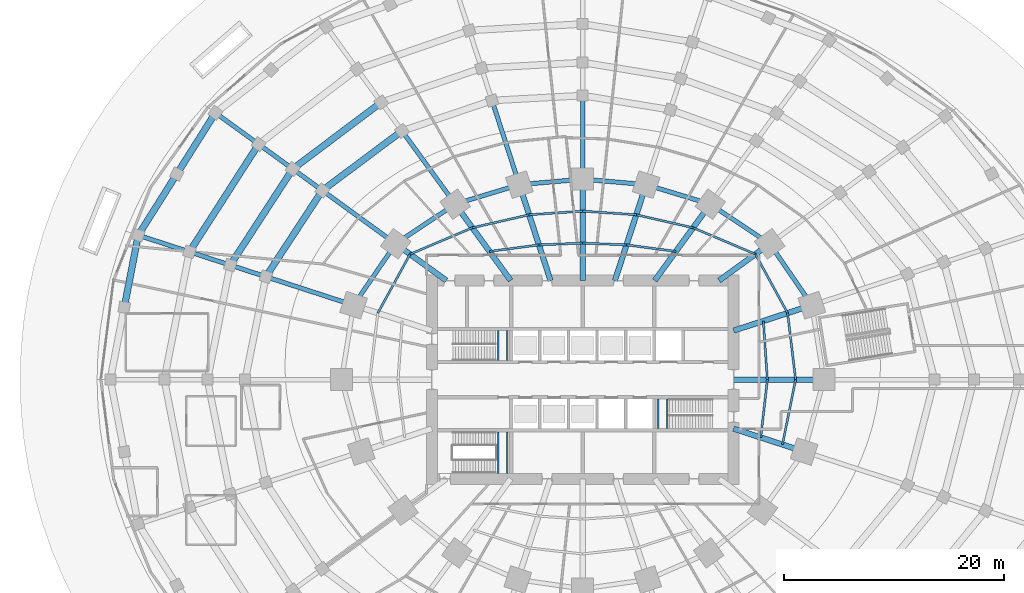
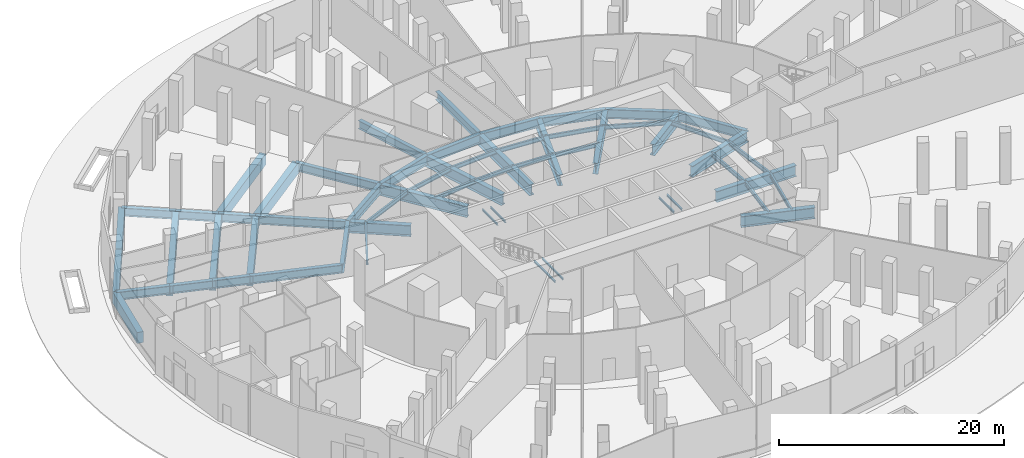
# One storey, part 8 of 23: 59 beams.
"""IFC4 building model written with IfcOpenShell, lengths in metres."""

import ifcopenshell
import ifcopenshell.guid

model = None  # the IFC model being written
_history = None  # IfcOwnerHistory: only IFC2X3 demands one
_inside = {}  # id of a spatial element -> (the spatial element, [elements in it])
_under = {}  # id of a project, library or spatial element -> (it, [spatial elements below it])
_declared = {}  # id of a project -> (the project, [libraries it declares])
_typed = {}  # id of a type object -> (the type object, [elements of that type])
_made_of = {}  # id of a material, layer set ... -> (it, [elements and type objects made of it])


def new_model(schema):
    """Start an empty IFC model of exactly this schema.

    Asked for "IFC4X3", IfcOpenShell would pick the latest addendum, in which some entities
    have other attributes; the version numbers below select the first issue.
    IFC2X3 requires an IfcOwnerHistory on every rooted entity: one is made here for all.
    """
    global model, _history
    if schema == "IFC4X3":
        model = ifcopenshell.file(schema_version=(4, 3, 0, 0))
    else:
        model = ifcopenshell.file(schema=schema)
    _inside.clear()
    _under.clear()
    _declared.clear()
    _typed.clear()
    _made_of.clear()
    _history = None
    if model.schema == "IFC2X3":
        org = make("IfcOrganization", Name="unknown")
        user = make(
            "IfcPersonAndOrganization",
            ThePerson=make("IfcPerson", FamilyName="unknown"),
            TheOrganization=org,
        )
        app = make(
            "IfcApplication",
            ApplicationDeveloper=org,
            Version="unknown",
            ApplicationFullName="unknown",
            ApplicationIdentifier="unknown",
        )
        _history = make(
            "IfcOwnerHistory",
            OwningUser=user,
            OwningApplication=app,
            ChangeAction="ADDED",
            CreationDate=0,
        )
    return model


def make(cls, **values):
    """One entity of the class cls with the attributes given. An attribute that is None is left unset."""
    return model.create_entity(
        cls, **{name: value for name, value in values.items() if value is not None}
    )


def rooted(cls, **values):
    """An entity with a GlobalId (a new one), such as an element, a storey or a relation."""
    return make(cls, GlobalId=ifcopenshell.guid.new(), OwnerHistory=_history, **values)


def si_unit(unit_type, name, prefix=None):
    """IfcSIUnit, for example si_unit("LENGTHUNIT", "METRE", prefix="MILLI")."""
    return make("IfcSIUnit", UnitType=unit_type, Prefix=prefix, Name=name)


def assignment(units):
    """IfcUnitAssignment: the units of a project."""
    return None if units is None else make("IfcUnitAssignment", Units=units)


def point(xyz):
    """IfcCartesianPoint."""
    return None if xyz is None else make("IfcCartesianPoint", Coordinates=xyz)


def direction(xyz):
    """IfcDirection."""
    return None if xyz is None else make("IfcDirection", DirectionRatios=xyz)


def frame(location, z_axis=None, x_axis=None):
    """IfcAxis2Placement3D, a coordinate frame: its origin and axes. An axis left out is left unset."""
    return make(
        "IfcAxis2Placement3D",
        Location=point(location),
        Axis=direction(z_axis),
        RefDirection=direction(x_axis),
    )


def frame_2d(location, x_axis=None):
    """IfcAxis2Placement2D, a coordinate frame in the plane: its origin and x axis."""
    return make(
        "IfcAxis2Placement2D", Location=point(location), RefDirection=direction(x_axis)
    )


def origin():
    """The frame at (0, 0, 0) with its axes left unset."""
    return frame((0.0, 0.0, 0.0))


def origin_2d():
    """The frame at (0, 0) in the plane with its x axis left unset."""
    return frame_2d((0.0, 0.0))


def place(relative_to, where):
    """IfcLocalPlacement: puts the frame where relative to a parent placement (None: the world)."""
    return make(
        "IfcLocalPlacement", PlacementRelTo=relative_to, RelativePlacement=where
    )


def context(
    kind, dimensions, precision=None, world=None, true_north=None, identifier=None
):
    """IfcGeometricRepresentationContext, for example the 3D "Model" context."""
    return make(
        "IfcGeometricRepresentationContext",
        ContextIdentifier=identifier,
        ContextType=kind,
        CoordinateSpaceDimension=dimensions,
        Precision=precision,
        WorldCoordinateSystem=world,
        TrueNorth=true_north,
    )


def subcontext(parent, identifier, kind, view, scale=None):
    """IfcGeometricRepresentationSubContext, for example "Body" below "Model"."""
    return make(
        "IfcGeometricRepresentationSubContext",
        ContextIdentifier=identifier,
        ContextType=kind,
        ParentContext=parent,
        TargetScale=scale,
        TargetView=view,
    )


def project(units=None, contexts=None):
    """IfcProject with its units and contexts."""
    return rooted(
        "IfcProject",
        Name="project",
        RepresentationContexts=contexts,
        UnitsInContext=assignment(units),
    )


def spatial(cls, under=None, at=None, **own):
    """A site, building, storey or space (cls), placed at a placement, below another one or the project."""
    s = rooted(cls, ObjectPlacement=at, **own)
    if under is not None:
        _under.setdefault(under.id(), (under, []))[1].append(s)
    return s


def profile(cls, at=None, kind="AREA", **sizes):
    """A parametric profile (cls). Its sizes go by their IFC names, for example OverallWidth=200.0."""
    return make(cls, ProfileType=kind, Position=at, **sizes)


def rectangle(**sizes):
    """IfcRectangleProfileDef."""
    return profile("IfcRectangleProfileDef", **sizes)


def i_section(**sizes):
    """IfcIShapeProfileDef."""
    return profile("IfcIShapeProfileDef", **sizes)


def extrude(swept, where, along, depth):
    """IfcExtrudedAreaSolid: the profile swept, set in the frame where, extruded along a direction by depth."""
    return make(
        "IfcExtrudedAreaSolid",
        SweptArea=swept,
        Position=where,
        ExtrudedDirection=direction(along),
        Depth=depth,
    )


def shape(context_of_items, identifier, shape_type, items):
    """IfcShapeRepresentation: the items that make up one representation, for example the "Body"."""
    return make(
        "IfcShapeRepresentation",
        ContextOfItems=context_of_items,
        RepresentationIdentifier=identifier,
        RepresentationType=shape_type,
        Items=items,
    )


def material(Name=None, Category=None):
    """IfcMaterial."""
    return make("IfcMaterial", Name=Name, Category=Category)


def material_profile(
    of_material, cross_section, Name=None, Category=None, Priority=None
):
    """IfcMaterialProfile: a cross section and its material."""
    return make(
        "IfcMaterialProfile",
        Name=Name,
        Material=of_material,
        Profile=cross_section,
        Priority=Priority,
        Category=Category,
    )


def profile_set(profiles, Name=None, composite=None):
    """IfcMaterialProfileSet."""
    return make(
        "IfcMaterialProfileSet",
        Name=Name,
        MaterialProfiles=profiles,
        CompositeProfile=composite,
    )


def made_of(thing, what):
    """Note that an element or type object is made of a material, layer set ...; save() writes the relation."""
    if what is not None:
        _made_of.setdefault(what.id(), (what, []))[1].append(thing)
    return thing


def type_object(cls, material=None, **own):
    """A type object (cls), such as IfcWallType, which elements share."""
    return made_of(rooted(cls, **own), material)


def element(
    cls,
    number,
    at=None,
    inside=None,
    cuts=None,
    type_object=None,
    material=None,
    context=None,
    identifier="Body",
    shape_type=None,
    held_by="IfcProductDefinitionShape",
    body=None,
    shapes=None,
    **own,
):
    """One element of the class cls, such as IfcWall. Its Tag is "e" and its number.

    at: its placement. inside: the storey or other place that contains it. cuts: it is an
    opening in that element (IfcRelVoidsElement). A single representation is given by context,
    identifier, shape_type and body (its items); several are given by shapes. held_by: the class
    of the entity that holds the representations. save() writes the other relations.
    """
    e = rooted(cls, Tag="e%d" % number, ObjectPlacement=at, **own)
    if body is not None:
        shapes = [shape(context, identifier, shape_type, body)]
    if shapes is not None:
        e.Representation = make(held_by, Representations=shapes)
    if inside is not None:
        _inside.setdefault(inside.id(), (inside, []))[1].append(e)
    if cuts is not None:
        rooted(
            "IfcRelVoidsElement", RelatingBuildingElement=cuts, RelatedOpeningElement=e
        )
    if type_object is not None:
        _typed.setdefault(type_object.id(), (type_object, []))[1].append(e)
    return made_of(e, material)


def aggregate(whole, parts):
    """IfcRelAggregates: a whole, such as a stair, and the parts it consists of."""
    return rooted("IfcRelAggregates", RelatingObject=whole, RelatedObjects=parts)


def save(model, path):
    """Write the relations noted so far, then the file.

    IfcRelAggregates (storeys below a building ...), IfcRelContainedInSpatialStructure (elements
    in a storey), IfcRelDefinesByType, IfcRelAssociatesMaterial and IfcRelDeclares: one each for
    every whole, place, type object, material and project.
    """
    for whole, parts in _under.values():
        aggregate(whole, parts)
    for where, things in _inside.values():
        rooted(
            "IfcRelContainedInSpatialStructure",
            RelatedElements=things,
            RelatingStructure=where,
        )
    for kind, things in _typed.values():
        rooted("IfcRelDefinesByType", RelatedObjects=things, RelatingType=kind)
    for what, things in _made_of.values():
        rooted("IfcRelAssociatesMaterial", RelatedObjects=things, RelatingMaterial=what)
    for by, libraries in _declared.values():
        rooted("IfcRelDeclares", RelatingContext=by, RelatedDefinitions=libraries)
    model.write(path)


model = new_model("IFC4")

# Units and contexts
model_context = context("Model", 3, precision=1e-05, world=origin(), true_north=direction((0.0, 1.0)))
body_context = subcontext(model_context, "Body", "Model", "MODEL_VIEW")
ifc_project = project(units=[si_unit("LENGTHUNIT", "METRE"), si_unit("AREAUNIT", "SQUARE_METRE"), si_unit("VOLUMEUNIT", "CUBIC_METRE"), si_unit("PLANEANGLEUNIT", "RADIAN"), si_unit("MASSUNIT", "GRAM", prefix="KILO")], contexts=[model_context])

# Site, building, storey
site_placement = place(None, origin())
site = spatial("IfcSite", under=ifc_project, at=site_placement, CompositionType="ELEMENT")
building_placement = place(site_placement, origin())
building = spatial("IfcBuilding", under=site, at=building_placement, Name="Marramba Exchange Tower", CompositionType="ELEMENT")
storey_placement = place(building_placement, origin())
storey = spatial("IfcBuildingStorey", under=building, at=storey_placement, Name="L00", CompositionType="ELEMENT", Elevation=0.0)

# Beams
ifc_material_1 = material(Name="Concrete N50", Category="concrete")
ifc_material_profile_1 = material_profile(ifc_material_1, rectangle(XDim=0.60009765625, YDim=1.199951171875, at=origin_2d()), Name="RC 600x1200")
ifc_profile_set_1 = profile_set([ifc_material_profile_1], Name="Concrete N50")
beam_type_1 = type_object("IfcBeamType", Name="Edge beam RC 600x1200 N50", PredefinedType="SPANDREL", material=ifc_profile_set_1)
beam_1_placement = place(storey_placement, frame((-33.35205078125, 24.231689453125, -0.800048828125), z_axis=(-0.533457535763, -0.845826848438, 0.0), x_axis=(0.845826848438, -0.533457535763, 0.0)))
element("IfcBeam", 1, at=beam_1_placement, inside=storey, type_object=beam_type_1, Name="Edge beam L00 P0C09 half 1", PredefinedType="SPANDREL", context=body_context, shape_type="SweptSolid", body=[
    extrude(rectangle(XDim=0.60009765625, YDim=1.199951171875, at=origin_2d()), origin(), (0.0, 0.0, 1.0), 6.571533203125),
])
beam_2_placement = place(storey_placement, frame((-36.857666015625, 18.67333984375, -0.800048828125), z_axis=(-0.533440772983, -0.845837420383, 0.0), x_axis=(0.845837420383, -0.533440772983, 0.0)))
element("IfcBeam", 2, at=beam_2_placement, inside=storey, type_object=beam_type_1, Name="Edge beam L00 P0C09 half 2", PredefinedType="SPANDREL", context=body_context, shape_type="SweptSolid", body=[
    extrude(rectangle(XDim=0.60009765625, YDim=1.199951171875, at=origin_2d()), origin(), (0.0, 0.0, 1.0), 6.57177734375),
])
beam_3_placement = place(storey_placement, frame((-40.36328125, 13.11474609375, -0.800048828125), z_axis=(-0.189898017432, -0.981803821023, 0.0), x_axis=(0.981803821023, -0.189898017432, 0.0)))
element("IfcBeam", 3, at=beam_3_placement, inside=storey, type_object=beam_type_1, Name="Edge beam L00 P0C10 half 1", PredefinedType="SPANDREL", context=body_context, shape_type="SweptSolid", body=[
    extrude(rectangle(XDim=0.60009765625, YDim=1.199951171875, at=origin_2d()), origin(), (0.0, 0.0, 1.0), 6.678955078125),
])
beam_4_placement = place(storey_placement, frame((-29.430908203125, 21.3828125, -0.800048828125), z_axis=(-0.540426316599, -0.841391345526, 0.0), x_axis=(0.841391345526, -0.540426316599, 0.0)))
element("IfcBeam", 4, at=beam_4_placement, inside=storey, type_object=beam_type_1, Name="Edge beam L00 P1C09", PredefinedType="SPANDREL", context=body_context, shape_type="SweptSolid", body=[
    extrude(rectangle(XDim=0.60009765625, YDim=1.199951171875, at=origin_2d()), origin(), (0.0, 0.0, 1.0), 11.622802734375),
])
beam_5_placement = place(storey_placement, frame((-18.29443359375, 25.18017578125, -0.800048828125), z_axis=(-0.799014535073, -0.601311710132, 0.0), x_axis=(0.601311710132, -0.799014535073, 0.0)))
element("IfcBeam", 5, at=beam_5_placement, inside=storey, type_object=beam_type_1, Name="Edge beam L00 P2C08", PredefinedType="SPANDREL", context=body_context, shape_type="SweptSolid", body=[
    extrude(rectangle(XDim=0.60009765625, YDim=1.199951171875, at=origin_2d()), origin(), (0.0, 0.0, 1.0), 10.059326171875),
])
beam_6_placement = place(storey_placement, frame((-26.33203125, 19.13134765625, -0.800048828125), z_axis=(-0.544797972412, -0.838567331379, 0.0), x_axis=(0.838567331379, -0.544797972412, 0.0)))
element("IfcBeam", 6, at=beam_6_placement, inside=storey, type_object=beam_type_1, Name="Edge beam L00 P2C09", PredefinedType="SPANDREL", context=body_context, shape_type="SweptSolid", body=[
    extrude(rectangle(XDim=0.60009765625, YDim=1.199951171875, at=origin_2d()), origin(), (0.0, 0.0, 1.0), 10.413330078125),
])
beam_7_placement = place(storey_placement, frame((-16.40869140625, 22.58447265625, -0.800048828125), z_axis=(-0.801143536075, -0.598472250489, 0.0), x_axis=(0.598472250489, -0.801143536075, 0.0)))
element("IfcBeam", 7, at=beam_7_placement, inside=storey, type_object=beam_type_1, Name="Edge beam L00 P3C08", PredefinedType="SPANDREL", context=body_context, shape_type="SweptSolid", body=[
    extrude(rectangle(XDim=0.60009765625, YDim=1.199951171875, at=origin_2d()), origin(), (0.0, 0.0, 1.0), 9.0322265625),
])
beam_8_placement = place(storey_placement, frame((-23.644775390625, 17.178955078125, -0.800048828125), z_axis=(-0.547649213564, -0.836708036822, 0.0), x_axis=(0.836708036822, -0.547649213564, 0.0)))
element("IfcBeam", 8, at=beam_8_placement, inside=storey, type_object=beam_type_1, Name="Edge beam L00 P3C09", PredefinedType="SPANDREL", context=body_context, shape_type="SweptSolid", body=[
    extrude(rectangle(XDim=0.60009765625, YDim=1.199951171875, at=origin_2d()), origin(), (0.0, 0.0, 1.0), 9.359130859375),
])
ifc_material_2 = material(Name="Steel AS/NZS 3679.1 grade 300", Category="steel")
ifc_material_profile_2 = material_profile(ifc_material_2, i_section(OverallWidth=0.18994140625, OverallDepth=0.4541015625, WebThickness=0.008544921875, FlangeThickness=0.0126953125, FilletRadius=0.011474609375, at=origin_2d()), Name="460UB67.1")
ifc_profile_set_2 = profile_set([ifc_material_profile_2], Name="Steel AS/NZS 3679.1 grade 300")
beam_type_2 = type_object("IfcBeamType", Name="Floor joist 460UB67.1", PredefinedType="JOIST", material=ifc_profile_set_2)
beam_9_placement = place(storey_placement, frame((16.7666015625, 0.0, -0.427001953125), z_axis=(-0.068096259546, 0.99767875563, 0.0), x_axis=(-0.99767875563, -0.068096259546, 0.0)))
element("IfcBeam", 9, at=beam_9_placement, inside=storey, type_object=beam_type_2, Name="Joist L00 bay 01 row 1", PredefinedType="JOIST", context=body_context, shape_type="SweptSolid", body=[
    extrude(i_section(OverallWidth=0.18994140625, OverallDepth=0.4541015625, WebThickness=0.008544921875, FlangeThickness=0.0126953125, FilletRadius=0.011474609375, at=origin_2d()), origin(), (0.0, 0.0, 1.0), 5.342041015625),
])
beam_10_placement = place(storey_placement, frame((19.333251953125, 0.0, -0.427001953125), z_axis=(-0.119523078538, 0.992831422597, 0.0), x_axis=(-0.992831422597, -0.119523078538, 0.0)))
element("IfcBeam", 10, at=beam_10_placement, inside=storey, type_object=beam_type_2, Name="Joist L00 bay 01 row 2", PredefinedType="JOIST", context=body_context, shape_type="SweptSolid", body=[
    extrude(i_section(OverallWidth=0.18994140625, OverallDepth=0.4541015625, WebThickness=0.008544921875, FlangeThickness=0.0126953125, FilletRadius=0.011474609375, at=origin_2d()), origin(), (0.0, 0.0, 1.0), 6.089111328125),
])
beam_11_placement = place(storey_placement, frame((18.60546875, 6.04541015625, -0.427001953125), z_axis=(-0.479584443791, 0.877495732909, 0.0), x_axis=(-0.877495732909, -0.479584443791, 0.0)))
element("IfcBeam", 11, at=beam_11_placement, inside=storey, type_object=beam_type_2, Name="Joist L00 bay 02 row 2", PredefinedType="JOIST", context=body_context, shape_type="SweptSolid", body=[
    extrude(i_section(OverallWidth=0.18994140625, OverallDepth=0.4541015625, WebThickness=0.008544921875, FlangeThickness=0.0126953125, FilletRadius=0.011474609375, at=origin_2d()), origin(), (0.0, 0.0, 1.0), 6.094970703125),
])
beam_12_placement = place(storey_placement, frame((15.682373046875, 11.393798828125, -0.427001953125), z_axis=(-0.920674336375, 0.390331610738, 0.0), x_axis=(-0.390331610738, -0.920674336375, 0.0)))
element("IfcBeam", 12, at=beam_12_placement, inside=storey, type_object=beam_type_2, Name="Joist L00 bay 03 row 2", PredefinedType="JOIST", context=body_context, shape_type="SweptSolid", body=[
    extrude(i_section(OverallWidth=0.18994140625, OverallDepth=0.4541015625, WebThickness=0.008544921875, FlangeThickness=0.0126953125, FilletRadius=0.011474609375, at=origin_2d()), origin(), (0.0, 0.0, 1.0), 6.1484375),
])
beam_13_placement = place(storey_placement, frame((8.4619140625, 11.646728515625, -0.427001953125), z_axis=(-0.991480538255, 0.130254912618, 0.0), x_axis=(-0.130254912618, -0.991480538255, 0.0)))
element("IfcBeam", 13, at=beam_13_placement, inside=storey, type_object=beam_type_2, Name="Joist L00 bay 04 row 1", PredefinedType="JOIST", context=body_context, shape_type="SweptSolid", body=[
    extrude(i_section(OverallWidth=0.18994140625, OverallDepth=0.4541015625, WebThickness=0.008544921875, FlangeThickness=0.0126953125, FilletRadius=0.011474609375, at=origin_2d()), origin(), (0.0, 0.0, 1.0), 4.524658203125),
])
beam_14_placement = place(storey_placement, frame((10.021728515625, 13.793701171875, -0.427001953125), z_axis=(-0.974859652292, 0.222819788916, 0.0), x_axis=(-0.222819788916, -0.974859652292, 0.0)))
element("IfcBeam", 14, at=beam_14_placement, inside=storey, type_object=beam_type_2, Name="Joist L00 bay 04 row 2", PredefinedType="JOIST", context=body_context, shape_type="SweptSolid", body=[
    extrude(i_section(OverallWidth=0.18994140625, OverallDepth=0.4541015625, WebThickness=0.008544921875, FlangeThickness=0.0126953125, FilletRadius=0.011474609375, at=origin_2d()), origin(), (0.0, 0.0, 1.0), 5.2900390625),
])
beam_15_placement = place(storey_placement, frame((3.975830078125, 12.236083984375, -0.427001953125), z_axis=(-0.999137002892, 0.041536122257, 0.0), x_axis=(-0.041536122257, -0.999137002892, 0.0)))
element("IfcBeam", 15, at=beam_15_placement, inside=storey, type_object=beam_type_2, Name="Joist L00 bay 05 row 1", PredefinedType="JOIST", context=body_context, shape_type="SweptSolid", body=[
    extrude(i_section(OverallWidth=0.18994140625, OverallDepth=0.4541015625, WebThickness=0.008544921875, FlangeThickness=0.0126953125, FilletRadius=0.011474609375, at=origin_2d()), origin(), (0.0, 0.0, 1.0), 3.979248046875),
])
beam_16_placement = place(storey_placement, frame((4.86474609375, 14.972412109375, -0.427001953125), z_axis=(-0.997702652202, 0.067745241816, 0.0), x_axis=(-0.067745241816, -0.997702652202, 0.0)))
element("IfcBeam", 16, at=beam_16_placement, inside=storey, type_object=beam_type_2, Name="Joist L00 bay 05 row 2", PredefinedType="JOIST", context=body_context, shape_type="SweptSolid", body=[
    extrude(i_section(OverallWidth=0.18994140625, OverallDepth=0.4541015625, WebThickness=0.008544921875, FlangeThickness=0.0126953125, FilletRadius=0.011474609375, at=origin_2d()), origin(), (0.0, 0.0, 1.0), 4.8759765625),
])
beam_17_placement = place(storey_placement, frame((0.0, 12.4013671875, -0.427001953125), z_axis=(-0.999137002892, -0.041536122257, 0.0), x_axis=(0.041536122257, -0.999137002892, 0.0)))
element("IfcBeam", 17, at=beam_17_placement, inside=storey, type_object=beam_type_2, Name="Joist L00 bay 06 row 1", PredefinedType="JOIST", context=body_context, shape_type="SweptSolid", body=[
    extrude(i_section(OverallWidth=0.18994140625, OverallDepth=0.4541015625, WebThickness=0.008544921875, FlangeThickness=0.0126953125, FilletRadius=0.011474609375, at=origin_2d()), origin(), (0.0, 0.0, 1.0), 3.979248046875),
])
beam_18_placement = place(storey_placement, frame((0.0, 15.302734375, -0.427001953125), z_axis=(-0.997702652202, -0.067745241816, 0.0), x_axis=(0.067745241816, -0.997702652202, 0.0)))
element("IfcBeam", 18, at=beam_18_placement, inside=storey, type_object=beam_type_2, Name="Joist L00 bay 06 row 2", PredefinedType="JOIST", context=body_context, shape_type="SweptSolid", body=[
    extrude(i_section(OverallWidth=0.18994140625, OverallDepth=0.4541015625, WebThickness=0.008544921875, FlangeThickness=0.0126953125, FilletRadius=0.011474609375, at=origin_2d()), origin(), (0.0, 0.0, 1.0), 4.8759765625),
])
beam_19_placement = place(storey_placement, frame((-3.975830078125, 12.236083984375, -0.427001953125), z_axis=(-0.991480538255, -0.130254912618, 0.0), x_axis=(0.130254912618, -0.991480538255, 0.0)))
element("IfcBeam", 19, at=beam_19_placement, inside=storey, type_object=beam_type_2, Name="Joist L00 bay 07 row 1", PredefinedType="JOIST", context=body_context, shape_type="SweptSolid", body=[
    extrude(i_section(OverallWidth=0.18994140625, OverallDepth=0.4541015625, WebThickness=0.008544921875, FlangeThickness=0.0126953125, FilletRadius=0.011474609375, at=origin_2d()), origin(), (0.0, 0.0, 1.0), 4.524658203125),
])
beam_20_placement = place(storey_placement, frame((-4.86474609375, 14.972412109375, -0.427001953125), z_axis=(-0.974859652292, -0.222819788916, 0.0), x_axis=(0.222819788916, -0.974859652292, 0.0)))
element("IfcBeam", 20, at=beam_20_placement, inside=storey, type_object=beam_type_2, Name="Joist L00 bay 07 row 2", PredefinedType="JOIST", context=body_context, shape_type="SweptSolid", body=[
    extrude(i_section(OverallWidth=0.18994140625, OverallDepth=0.4541015625, WebThickness=0.008544921875, FlangeThickness=0.0126953125, FilletRadius=0.011474609375, at=origin_2d()), origin(), (0.0, 0.0, 1.0), 5.2900390625),
])
beam_21_placement = place(storey_placement, frame((-10.021728515625, 13.793701171875, -0.427001953125), z_axis=(-0.920674336375, -0.390331610738, 0.0), x_axis=(0.390331610738, -0.920674336375, 0.0)))
element("IfcBeam", 21, at=beam_21_placement, inside=storey, type_object=beam_type_2, Name="Joist L00 bay 08 row 2", PredefinedType="JOIST", context=body_context, shape_type="SweptSolid", body=[
    extrude(i_section(OverallWidth=0.18994140625, OverallDepth=0.4541015625, WebThickness=0.008544921875, FlangeThickness=0.0126953125, FilletRadius=0.011474609375, at=origin_2d()), origin(), (0.0, 0.0, 1.0), 6.1484375),
])
beam_22_placement = place(storey_placement, frame((-15.682373046875, 11.393798828125, -0.427001953125), z_axis=(-0.479584443791, -0.877495732909, 0.0), x_axis=(0.877495732909, -0.479584443791, 0.0)))
element("IfcBeam", 22, at=beam_22_placement, inside=storey, type_object=beam_type_2, Name="Joist L00 bay 09 row 2", PredefinedType="JOIST", context=body_context, shape_type="SweptSolid", body=[
    extrude(i_section(OverallWidth=0.18994140625, OverallDepth=0.4541015625, WebThickness=0.008544921875, FlangeThickness=0.0126953125, FilletRadius=0.011474609375, at=origin_2d()), origin(), (0.0, 0.0, 1.0), 6.094970703125),
])
beam_23_placement = place(storey_placement, frame((16.169677734375, -5.25390625, -0.427001953125), z_axis=(0.112888968594, 0.993607609054, 0.0), x_axis=(-0.993607609054, 0.112888968594, 0.0)))
element("IfcBeam", 23, at=beam_23_placement, inside=storey, type_object=beam_type_2, Name="Joist L00 bay 20 row 1", PredefinedType="JOIST", context=body_context, shape_type="SweptSolid", body=[
    extrude(i_section(OverallWidth=0.18994140625, OverallDepth=0.4541015625, WebThickness=0.008544921875, FlangeThickness=0.0126953125, FilletRadius=0.011474609375, at=origin_2d()), origin(), (0.0, 0.0, 1.0), 5.28759765625),
])
beam_24_placement = place(storey_placement, frame((18.1396484375, -5.893798828125, -0.427001953125), z_axis=(0.198489047047, 0.980103105904, 0.0), x_axis=(-0.980103105904, 0.198489047047, 0.0)))
element("IfcBeam", 24, at=beam_24_placement, inside=storey, type_object=beam_type_2, Name="Joist L00 bay 20 row 2", PredefinedType="JOIST", context=body_context, shape_type="SweptSolid", body=[
    extrude(i_section(OverallWidth=0.18994140625, OverallDepth=0.4541015625, WebThickness=0.008544921875, FlangeThickness=0.0126953125, FilletRadius=0.011474609375, at=origin_2d()), origin(), (0.0, 0.0, 1.0), 6.013427734375),
])
ifc_material_3 = material(Name="Steel AS/NZS 3679.2 grade 300", Category="steel")
ifc_material_profile_3 = material_profile(ifc_material_3, i_section(OverallWidth=0.5, OverallDepth=1.199951171875, WebThickness=0.01611328125, FlangeThickness=0.0400390625, at=origin_2d()), Name="1200WB455")
ifc_profile_set_3 = profile_set([ifc_material_profile_3], Name="Steel AS/NZS 3679.2 grade 300")
beam_type_3 = type_object("IfcBeamType", Name="Radial girder 1200WB455", PredefinedType="BEAM", material=ifc_profile_set_3)
beam_25_placement = place(storey_placement, frame((13.699951171875, 0.0, -0.800048828125), z_axis=(1.0, 0.0, 0.0), x_axis=(0.0, 1.0, 0.0)))
element("IfcBeam", 25, at=beam_25_placement, inside=storey, type_object=beam_type_3, Name="Radial girder L00 TC01", PredefinedType="BEAM", context=body_context, shape_type="SweptSolid", body=[
    extrude(i_section(OverallWidth=0.5, OverallDepth=1.199951171875, WebThickness=0.01611328125, FlangeThickness=0.0400390625, at=origin_2d()), origin(), (0.0, 0.0, 1.0), 8.199951171875),
])
beam_26_placement = place(storey_placement, frame((13.699951171875, 4.451416015625, -0.800048828125), z_axis=(0.951059990189, 0.309006302624, 0.0), x_axis=(-0.309006302624, 0.951059990189, 0.0)))
element("IfcBeam", 26, at=beam_26_placement, inside=storey, type_object=beam_type_3, Name="Radial girder L00 TC02", PredefinedType="BEAM", context=body_context, shape_type="SweptSolid", body=[
    extrude(i_section(OverallWidth=0.5, OverallDepth=1.199951171875, WebThickness=0.01611328125, FlangeThickness=0.0400390625, at=origin_2d()), origin(), (0.0, 0.0, 1.0), 7.47412109375),
])
beam_27_placement = place(storey_placement, frame((12.387451171875, 9.0, -0.800048828125), z_axis=(0.809025746925, 0.587773205252, 0.0), x_axis=(-0.587773205252, 0.809025746925, 0.0)))
element("IfcBeam", 27, at=beam_27_placement, inside=storey, type_object=beam_type_3, Name="Radial girder L00 TC03", PredefinedType="BEAM", context=body_context, shape_type="SweptSolid", body=[
    extrude(i_section(OverallWidth=0.5, OverallDepth=1.199951171875, WebThickness=0.01611328125, FlangeThickness=0.0400390625, at=origin_2d()), origin(), (0.0, 0.0, 1.0), 5.683837890625),
])
beam_28_placement = place(storey_placement, frame((6.538818359375, 9.0, -0.800048828125), z_axis=(0.587782439969, 0.80901903764, 0.0), x_axis=(-0.80901903764, 0.587782439969, 0.0)))
element("IfcBeam", 28, at=beam_28_placement, inside=storey, type_object=beam_type_3, Name="Radial girder L00 TC04", PredefinedType="BEAM", context=body_context, shape_type="SweptSolid", body=[
    extrude(i_section(OverallWidth=0.5, OverallDepth=1.199951171875, WebThickness=0.01611328125, FlangeThickness=0.0400390625, at=origin_2d()), origin(), (0.0, 0.0, 1.0), 8.578857421875),
])
beam_29_placement = place(storey_placement, frame((2.92431640625, 9.0, -0.800048828125), z_axis=(0.309019754162, 0.951055619582, 0.0), x_axis=(-0.951055619582, 0.309019754162, 0.0)))
element("IfcBeam", 29, at=beam_29_placement, inside=storey, type_object=beam_type_3, Name="Radial girder L00 TC05", PredefinedType="BEAM", context=body_context, shape_type="SweptSolid", body=[
    extrude(i_section(OverallWidth=0.5, OverallDepth=1.199951171875, WebThickness=0.01611328125, FlangeThickness=0.0400390625, at=origin_2d()), origin(), (0.0, 0.0, 1.0), 9.15673828125),
])
beam_30_placement = place(storey_placement, frame((0.0, 9.0, -0.800048828125), z_axis=(0.0, 1.0, 0.0), x_axis=(-1.0, 0.0, 0.0)))
element("IfcBeam", 30, at=beam_30_placement, inside=storey, type_object=beam_type_3, Name="Radial girder L00 TC06", PredefinedType="BEAM", context=body_context, shape_type="SweptSolid", body=[
    extrude(i_section(OverallWidth=0.5, OverallDepth=1.199951171875, WebThickness=0.01611328125, FlangeThickness=0.0400390625, at=origin_2d()), origin(), (0.0, 0.0, 1.0), 9.2041015625),
])
beam_31_placement = place(storey_placement, frame((-2.92431640625, 9.0, -0.800048828125), z_axis=(-0.309019754162, 0.951055619582, 0.0), x_axis=(-0.951055619582, -0.309019754162, 0.0)))
element("IfcBeam", 31, at=beam_31_placement, inside=storey, type_object=beam_type_3, Name="Radial girder L00 TC07", PredefinedType="BEAM", context=body_context, shape_type="SweptSolid", body=[
    extrude(i_section(OverallWidth=0.5, OverallDepth=1.199951171875, WebThickness=0.01611328125, FlangeThickness=0.0400390625, at=origin_2d()), origin(), (0.0, 0.0, 1.0), 9.15673828125),
])
beam_32_placement = place(storey_placement, frame((-6.538818359375, 9.0, -0.800048828125), z_axis=(-0.587782439969, 0.80901903764, 0.0), x_axis=(-0.80901903764, -0.587782439969, 0.0)))
element("IfcBeam", 32, at=beam_32_placement, inside=storey, type_object=beam_type_3, Name="Radial girder L00 TC08", PredefinedType="BEAM", context=body_context, shape_type="SweptSolid", body=[
    extrude(i_section(OverallWidth=0.5, OverallDepth=1.199951171875, WebThickness=0.01611328125, FlangeThickness=0.0400390625, at=origin_2d()), origin(), (0.0, 0.0, 1.0), 8.578857421875),
])
beam_33_placement = place(storey_placement, frame((-12.387451171875, 9.0, -0.800048828125), z_axis=(-0.809025746925, 0.587773205252, 0.0), x_axis=(-0.587773205252, -0.809025746925, 0.0)))
element("IfcBeam", 33, at=beam_33_placement, inside=storey, type_object=beam_type_3, Name="Radial girder L00 TC09", PredefinedType="BEAM", context=body_context, shape_type="SweptSolid", body=[
    extrude(i_section(OverallWidth=0.5, OverallDepth=1.199951171875, WebThickness=0.01611328125, FlangeThickness=0.0400390625, at=origin_2d()), origin(), (0.0, 0.0, 1.0), 5.683837890625),
])
beam_34_placement = place(storey_placement, frame((13.699951171875, -4.451416015625, -0.800048828125), z_axis=(0.951057759669, -0.309013167637, 0.0), x_axis=(0.309013167637, 0.951057759669, 0.0)))
element("IfcBeam", 34, at=beam_34_placement, inside=storey, type_object=beam_type_3, Name="Radial girder L00 TC20", PredefinedType="BEAM", context=body_context, shape_type="SweptSolid", body=[
    extrude(i_section(OverallWidth=0.5, OverallDepth=1.199951171875, WebThickness=0.01611328125, FlangeThickness=0.0400390625, at=origin_2d()), origin(), (0.0, 0.0, 1.0), 6.7392578125),
])
ifc_material_profile_4 = material_profile(ifc_material_3, i_section(OverallWidth=0.39990234375, OverallDepth=0.89990234375, WebThickness=0.01611328125, FlangeThickness=0.031982421875, at=origin_2d()), Name="900WB282")
ifc_profile_set_4 = profile_set([ifc_material_profile_4], Name="Steel AS/NZS 3679.2 grade 300")
beam_type_4 = type_object("IfcBeamType", Name="Radial girder 900WB282", PredefinedType="BEAM", material=ifc_profile_set_4)
beam_35_placement = place(storey_placement, frame((-33.35205078125, 24.231689453125, -0.64990234375), z_axis=(0.809016983411, -0.587785267382, 0.0), x_axis=(0.587785267382, 0.809016983411, 0.0)))
element("IfcBeam", 35, at=beam_35_placement, inside=storey, type_object=beam_type_4, Name="Radial girder L00 P0C09", PredefinedType="BEAM", context=body_context, shape_type="SweptSolid", body=[
    extrude(i_section(OverallWidth=0.39990234375, OverallDepth=0.89990234375, WebThickness=0.01611328125, FlangeThickness=0.031982421875, at=origin_2d()), origin(), (0.0, 0.0, 1.0), 4.8466796875),
])
beam_36_placement = place(storey_placement, frame((-40.36328125, 13.11474609375, -0.64990234375), z_axis=(0.951057178465, -0.309014956417, 0.0), x_axis=(0.309014956417, 0.951057178465, 0.0)))
element("IfcBeam", 36, at=beam_36_placement, inside=storey, type_object=beam_type_4, Name="Radial girder L00 P0C10", PredefinedType="BEAM", context=body_context, shape_type="SweptSolid", body=[
    extrude(i_section(OverallWidth=0.39990234375, OverallDepth=0.89990234375, WebThickness=0.01611328125, FlangeThickness=0.031982421875, at=origin_2d()), origin(), (0.0, 0.0, 1.0), 4.890380859375),
])
beam_37_placement = place(storey_placement, frame((-29.430908203125, 21.3828125, -0.64990234375), z_axis=(0.809017124945, -0.587785072579, 0.0), x_axis=(0.587785072579, 0.809017124945, 0.0)))
element("IfcBeam", 37, at=beam_37_placement, inside=storey, type_object=beam_type_4, Name="Radial girder L00 P1C09", PredefinedType="BEAM", context=body_context, shape_type="SweptSolid", body=[
    extrude(i_section(OverallWidth=0.39990234375, OverallDepth=0.89990234375, WebThickness=0.01611328125, FlangeThickness=0.031982421875, at=origin_2d()), origin(), (0.0, 0.0, 1.0), 3.830322265625),
])
beam_38_placement = place(storey_placement, frame((-35.712158203125, 11.603515625, -0.64990234375), z_axis=(0.95106720483, -0.308984096511, 0.0), x_axis=(0.308984096511, 0.95106720483, 0.0)))
element("IfcBeam", 38, at=beam_38_placement, inside=storey, type_object=beam_type_4, Name="Radial girder L00 P1C10", PredefinedType="BEAM", context=body_context, shape_type="SweptSolid", body=[
    extrude(i_section(OverallWidth=0.39990234375, OverallDepth=0.89990234375, WebThickness=0.01611328125, FlangeThickness=0.031982421875, at=origin_2d()), origin(), (0.0, 0.0, 1.0), 3.897705078125),
])
beam_39_placement = place(storey_placement, frame((-26.33203125, 19.13134765625, -0.64990234375), z_axis=(0.809018867973, -0.587782673497, 0.0), x_axis=(0.587782673497, 0.809018867973, 0.0)))
element("IfcBeam", 39, at=beam_39_placement, inside=storey, type_object=beam_type_4, Name="Radial girder L00 P2C09", PredefinedType="BEAM", context=body_context, shape_type="SweptSolid", body=[
    extrude(i_section(OverallWidth=0.39990234375, OverallDepth=0.89990234375, WebThickness=0.01611328125, FlangeThickness=0.031982421875, at=origin_2d()), origin(), (0.0, 0.0, 1.0), 3.321533203125),
])
beam_40_placement = place(storey_placement, frame((-32.005126953125, 10.399169921875, -0.64990234375), z_axis=(0.951060439376, -0.309004920114, 0.0), x_axis=(0.309004920114, 0.951060439376, 0.0)))
element("IfcBeam", 40, at=beam_40_placement, inside=storey, type_object=beam_type_4, Name="Radial girder L00 P2C10", PredefinedType="BEAM", context=body_context, shape_type="SweptSolid", body=[
    extrude(i_section(OverallWidth=0.39990234375, OverallDepth=0.89990234375, WebThickness=0.01611328125, FlangeThickness=0.031982421875, at=origin_2d()), origin(), (0.0, 0.0, 1.0), 3.4013671875),
])
beam_41_placement = place(storey_placement, frame((0.0, 25.800048828125, -0.64990234375), z_axis=(0.0, -1.0, 0.0), x_axis=(1.0, 0.0, 0.0)))
element("IfcBeam", 41, at=beam_41_placement, inside=storey, type_object=beam_type_4, Name="Radial girder L00 P3C06", PredefinedType="BEAM", context=body_context, shape_type="SweptSolid", body=[
    extrude(i_section(OverallWidth=0.39990234375, OverallDepth=0.89990234375, WebThickness=0.01611328125, FlangeThickness=0.031982421875, at=origin_2d()), origin(), (0.0, 0.0, 1.0), 7.595947265625),
])
beam_42_placement = place(storey_placement, frame((-8.23583984375, 25.347412109375, -0.64990234375), z_axis=(0.309005656737, -0.951060200042, 0.0), x_axis=(0.951060200042, 0.309005656737, 0.0)))
element("IfcBeam", 42, at=beam_42_placement, inside=storey, type_object=beam_type_4, Name="Radial girder L00 P3C07", PredefinedType="BEAM", context=body_context, shape_type="SweptSolid", body=[
    extrude(i_section(OverallWidth=0.39990234375, OverallDepth=0.89990234375, WebThickness=0.01611328125, FlangeThickness=0.031982421875, at=origin_2d()), origin(), (0.0, 0.0, 1.0), 8.031982421875),
])
beam_43_placement = place(storey_placement, frame((-16.40869140625, 22.58447265625, -0.64990234375), z_axis=(0.587802211643, -0.809004672414, 0.0), x_axis=(0.809004672414, 0.587802211643, 0.0)))
element("IfcBeam", 43, at=beam_43_placement, inside=storey, type_object=beam_type_4, Name="Radial girder L00 P3C08", PredefinedType="BEAM", context=body_context, shape_type="SweptSolid", body=[
    extrude(i_section(OverallWidth=0.39990234375, OverallDepth=0.89990234375, WebThickness=0.01611328125, FlangeThickness=0.031982421875, at=origin_2d()), origin(), (0.0, 0.0, 1.0), 8.212646484375),
])
beam_44_placement = place(storey_placement, frame((-23.644775390625, 17.178955078125, -0.64990234375), z_axis=(0.80900920075, -0.587795979148, 0.0), x_axis=(0.587795979148, 0.80900920075, 0.0)))
element("IfcBeam", 44, at=beam_44_placement, inside=storey, type_object=beam_type_4, Name="Radial girder L00 P3C09", PredefinedType="BEAM", context=body_context, shape_type="SweptSolid", body=[
    extrude(i_section(OverallWidth=0.39990234375, OverallDepth=0.89990234375, WebThickness=0.01611328125, FlangeThickness=0.031982421875, at=origin_2d()), origin(), (0.0, 0.0, 1.0), 8.23095703125),
])
beam_45_placement = place(storey_placement, frame((-28.770263671875, 9.34814453125, -0.64990234375), z_axis=(0.951050354939, -0.309035956436, 0.0), x_axis=(0.309035956436, 0.951050354939, 0.0)))
element("IfcBeam", 45, at=beam_45_placement, inside=storey, type_object=beam_type_4, Name="Radial girder L00 P3C10", PredefinedType="BEAM", context=body_context, shape_type="SweptSolid", body=[
    extrude(i_section(OverallWidth=0.39990234375, OverallDepth=0.89990234375, WebThickness=0.01611328125, FlangeThickness=0.031982421875, at=origin_2d()), origin(), (0.0, 0.0, 1.0), 8.371826171875),
])
ifc_material_profile_5 = material_profile(ifc_material_3, i_section(OverallWidth=0.39990234375, OverallDepth=1.0, WebThickness=0.01611328125, FlangeThickness=0.031982421875, at=origin_2d()), Name="1000WB322")
ifc_profile_set_5 = profile_set([ifc_material_profile_5], Name="Steel AS/NZS 3679.2 grade 300")
beam_type_5 = type_object("IfcBeamType", Name="Ring beam 1000WB322", PredefinedType="SPANDREL", material=ifc_profile_set_5)
beam_46_placement = place(storey_placement, frame((20.808349609375, 6.760986328125, -0.699951171875), z_axis=(-0.56516002054, 0.824981303535, 0.0), x_axis=(-0.824981303535, -0.56516002054, 0.0)))
element("IfcBeam", 46, at=beam_46_placement, inside=storey, type_object=beam_type_5, Name="Ring beam L00 TC02-TC03", PredefinedType="SPANDREL", context=body_context, shape_type="SweptSolid", body=[
    extrude(i_section(OverallWidth=0.39990234375, OverallDepth=1.0, WebThickness=0.01611328125, FlangeThickness=0.031982421875, at=origin_2d()), origin(), (0.0, 0.0, 1.0), 6.763671875),
])
beam_47_placement = place(storey_placement, frame((16.98583984375, 12.3408203125, -0.699951171875), z_axis=(-0.832293151443, 0.554335737673, 0.0), x_axis=(-0.554335737673, -0.832293151443, 0.0)))
element("IfcBeam", 47, at=beam_47_placement, inside=storey, type_object=beam_type_5, Name="Ring beam L00 TC03-TC04", PredefinedType="SPANDREL", context=body_context, shape_type="SweptSolid", body=[
    extrude(i_section(OverallWidth=0.39990234375, OverallDepth=1.0, WebThickness=0.01611328125, FlangeThickness=0.031982421875, at=origin_2d()), origin(), (0.0, 0.0, 1.0), 6.49365234375),
])
beam_48_placement = place(storey_placement, frame((11.581298828125, 15.9404296875, -0.699951171875), z_axis=(-0.956924542524, 0.290336735387, 0.0), x_axis=(-0.290336735387, -0.956924542524, 0.0)))
element("IfcBeam", 48, at=beam_48_placement, inside=storey, type_object=beam_type_5, Name="Ring beam L00 TC04-TC05", PredefinedType="SPANDREL", context=body_context, shape_type="SweptSolid", body=[
    extrude(i_section(OverallWidth=0.39990234375, OverallDepth=1.0, WebThickness=0.01611328125, FlangeThickness=0.031982421875, at=origin_2d()), origin(), (0.0, 0.0, 1.0), 6.089599609375),
])
for number, where, z_axis, x_axis, name in (
    (49, (5.75390625, 17.70849609375, -0.699951171875), (-0.996311003275, 0.085815993578, 0.0), (-0.085815993578, -0.996311003275, 0.0), "Ring beam L00 TC05-TC06"),
    (50, (0.0, 18.2041015625, -0.699951171875), (-0.996311003275, -0.085815993578, 0.0), (0.085815993578, -0.996311003275, 0.0), "Ring beam L00 TC06-TC07"),
):
    element("IfcBeam", number, at=place(storey_placement, frame(where, z_axis=z_axis, x_axis=x_axis)), inside=storey, type_object=beam_type_5, Name=name, PredefinedType="SPANDREL", context=body_context, shape_type="SweptSolid", body=[
        extrude(i_section(OverallWidth=0.39990234375, OverallDepth=1.0, WebThickness=0.01611328125, FlangeThickness=0.031982421875, at=origin_2d()), origin(), (0.0, 0.0, 1.0), 5.775146484375),
    ])
beam_49_placement = place(storey_placement, frame((-5.75390625, 17.70849609375, -0.699951171875), z_axis=(-0.956924542524, -0.290336735387, 0.0), x_axis=(0.290336735387, -0.956924542524, 0.0)))
element("IfcBeam", 51, at=beam_49_placement, inside=storey, type_object=beam_type_5, Name="Ring beam L00 TC07-TC08", PredefinedType="SPANDREL", context=body_context, shape_type="SweptSolid", body=[
    extrude(i_section(OverallWidth=0.39990234375, OverallDepth=1.0, WebThickness=0.01611328125, FlangeThickness=0.031982421875, at=origin_2d()), origin(), (0.0, 0.0, 1.0), 6.089599609375),
])
beam_50_placement = place(storey_placement, frame((-11.581298828125, 15.9404296875, -0.699951171875), z_axis=(-0.832293151443, -0.554335737673, 0.0), x_axis=(0.554335737673, -0.832293151443, 0.0)))
element("IfcBeam", 52, at=beam_50_placement, inside=storey, type_object=beam_type_5, Name="Ring beam L00 TC08-TC09", PredefinedType="SPANDREL", context=body_context, shape_type="SweptSolid", body=[
    extrude(i_section(OverallWidth=0.39990234375, OverallDepth=1.0, WebThickness=0.01611328125, FlangeThickness=0.031982421875, at=origin_2d()), origin(), (0.0, 0.0, 1.0), 6.49365234375),
])
beam_51_placement = place(storey_placement, frame((-16.98583984375, 12.3408203125, -0.699951171875), z_axis=(-0.56516002054, -0.824981303535, 0.0), x_axis=(0.824981303535, -0.56516002054, 0.0)))
element("IfcBeam", 53, at=beam_51_placement, inside=storey, type_object=beam_type_5, Name="Ring beam L00 TC09-TC10", PredefinedType="SPANDREL", context=body_context, shape_type="SweptSolid", body=[
    extrude(i_section(OverallWidth=0.39990234375, OverallDepth=1.0, WebThickness=0.01611328125, FlangeThickness=0.031982421875, at=origin_2d()), origin(), (0.0, 0.0, 1.0), 6.763671875),
])
ifc_material_profile_6 = material_profile(ifc_material_2, i_section(OverallWidth=0.133056640625, OverallDepth=0.202880859375, WebThickness=0.005859375, FlangeThickness=0.0078125, FilletRadius=0.0087890625, at=origin_2d()), Name="200UB25.4")
ifc_profile_set_6 = profile_set([ifc_material_profile_6], Name="Steel AS/NZS 3679.1 grade 300")
beam_type_6 = type_object("IfcBeamType", Name="Stair landing beam 200UB25.4", PredefinedType="BEAM", material=ifc_profile_set_6)
for number, where, z_axis, x_axis, name in (
    (54, (-7.68359375, 1.75, 2.49853515625), (0.0, 1.0, 0.0), (-1.0, 0.0, 0.0), "Stair landing beam SLB1 ST1 L00 1"),
    (55, (-6.866455078125, 1.75, 2.49853515625), (0.0, 1.0, 0.0), (-1.0, 0.0, 0.0), "Stair landing beam SLB1 ST1 L00 2"),
    (56, (6.866455078125, -4.449951171875, 2.49853515625), (0.0, 1.0, 0.0), (-1.0, 0.0, 0.0), "Stair landing beam SLB1 ST2 L00 1"),
    (57, (7.68359375, -4.449951171875, 2.49853515625), (0.0, 1.0, 0.0), (-1.0, 0.0, 0.0), "Stair landing beam SLB1 ST2 L00 2"),
):
    element("IfcBeam", number, at=place(storey_placement, frame(where, z_axis=z_axis, x_axis=x_axis)), inside=storey, type_object=beam_type_6, Name=name, PredefinedType="BEAM", context=body_context, shape_type="SweptSolid", body=[
        extrude(i_section(OverallWidth=0.133056640625, OverallDepth=0.202880859375, WebThickness=0.005859375, FlangeThickness=0.0078125, FilletRadius=0.0087890625, at=origin_2d()), origin(), (0.0, 0.0, 1.0), 2.699951171875),
    ])
for number, where, z_axis, x_axis, name in (
    (58, (-7.68359375, -8.5, 2.49853515625), (0.0, 1.0, 0.0), (-1.0, 0.0, 0.0), "Stair landing beam SLB1 ST3 L00 1"),
    (59, (-6.866455078125, -8.5, 2.49853515625), (0.0, 1.0, 0.0), (-1.0, 0.0, 0.0), "Stair landing beam SLB1 ST3 L00 2"),
):
    element("IfcBeam", number, at=place(storey_placement, frame(where, z_axis=z_axis, x_axis=x_axis)), inside=storey, type_object=beam_type_6, Name=name, PredefinedType="BEAM", context=body_context, shape_type="SweptSolid", body=[
        extrude(i_section(OverallWidth=0.133056640625, OverallDepth=0.202880859375, WebThickness=0.005859375, FlangeThickness=0.0078125, FilletRadius=0.0087890625, at=origin_2d()), origin(), (0.0, 0.0, 1.0), 3.75),
    ])

save(model, "model.ifc")
